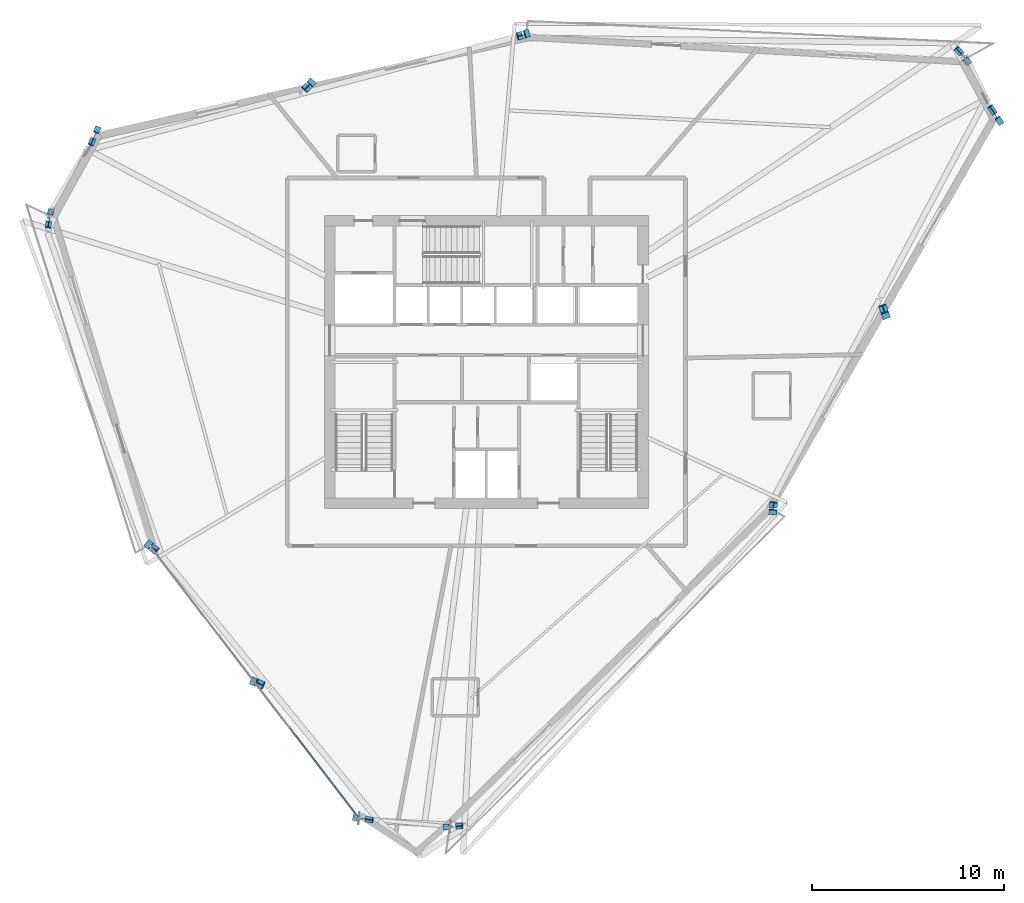
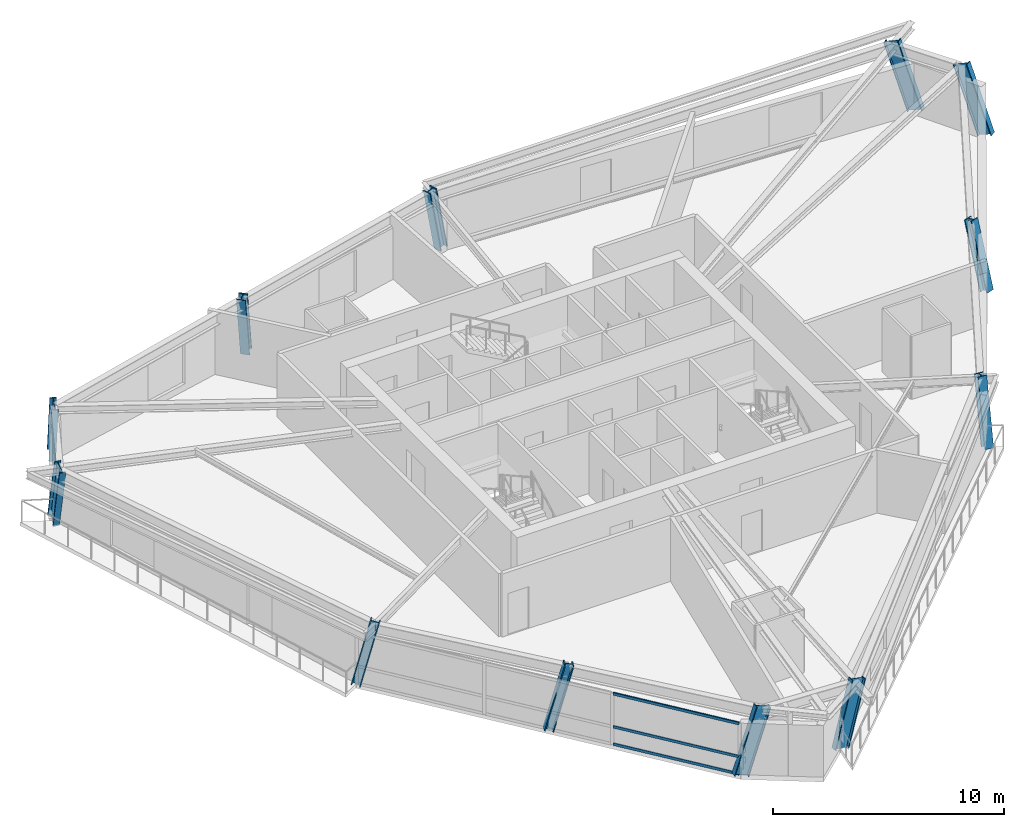
# One storey, part 1 of 15: 12 columns, 3 members, 1 element without a shape of its own.
"""IFC4 building model written with IfcOpenShell, lengths in metres."""

from ifc_helpers import new_model, si_unit, direction, frame, origin, origin_2d, place, context, subcontext, project, spatial, hollow_rectangle, i_section, extrude, source, transform, mapped, material, material_profile, profile_set, type_object, element, aggregate, save


model = new_model("IFC4")

# Units and contexts
model_context = context("Model", 3, precision=1e-05, world=origin(), true_north=direction((0.0, 1.0)))
body_context = subcontext(model_context, "Body", "Model", "MODEL_VIEW")
ifc_project = project(units=[si_unit("LENGTHUNIT", "METRE"), si_unit("AREAUNIT", "SQUARE_METRE"), si_unit("VOLUMEUNIT", "CUBIC_METRE"), si_unit("PLANEANGLEUNIT", "RADIAN"), si_unit("MASSUNIT", "GRAM", prefix="KILO")], contexts=[model_context])

# Site, building, storey
site_placement = place(None, origin())
site = spatial("IfcSite", under=ifc_project, at=site_placement, CompositionType="ELEMENT")
building_placement = place(site_placement, origin())
building = spatial("IfcBuilding", under=site, at=building_placement, Name="Olszyna Solenne Hotel", CompositionType="ELEMENT")
storey_placement = place(building_placement, frame((0.0, 0.0, 157.25)))
storey = spatial("IfcBuildingStorey", under=building, at=storey_placement, Name="L41", CompositionType="ELEMENT", Elevation=157.25)

# Columns
ifc_material_1 = material(Name="Steel S460M", Category="steel")
ifc_material_profile_1 = material_profile(ifc_material_1, i_section(OverallWidth=0.303955078125, OverallDepth=0.716064453125, WebThickness=0.02099609375, FlangeThickness=0.0400390625, at=origin_2d()), Name="HEM 700", Category="load-bearing")
ifc_profile_set_1 = profile_set([ifc_material_profile_1], Name="Steel S460M")
column_type_1 = type_object("IfcColumnType", Name="COL-K2", PredefinedType="COLUMN", material=ifc_profile_set_1)
shared_shape_1 = source(origin(), body_context, "Body", "SweptSolid", [
    extrude(i_section(OverallWidth=0.303955078125, OverallDepth=0.716064453125, WebThickness=0.02099609375, FlangeThickness=0.0400390625, at=origin_2d()), origin(), (0.0, 0.0, 1.0), 3.587890625),
])
column_1_placement = place(storey_placement, frame((64.71337890625, 39.28955078125, 0.0), z_axis=(-0.180999901235, 0.277759998813, 0.943444973919), x_axis=(-0.837814695631, -0.54595470122, 0.0)))
element("IfcColumn", 1, at=column_1_placement, inside=storey, type_object=column_type_1, Name="Perimeter framed-tube column COL-K2 C-L41-01", PredefinedType="COLUMN", context=body_context, shape_type="MappedRepresentation", body=[
    mapped(shared_shape_1, transform((0.0, 0.0, 0.0), x_axis=(1.0, 0.0, 0.0), y_axis=(0.0, 1.0, 0.0), z_axis=(0.0, 0.0, 1.0), scale=1.0)),
])
shared_shape_2 = source(origin(), body_context, "Body", "SweptSolid", [
    extrude(i_section(OverallWidth=0.303955078125, OverallDepth=0.716064453125, WebThickness=0.02099609375, FlangeThickness=0.0400390625, at=origin_2d()), origin(), (0.0, 0.0, 1.0), 3.556884765625),
])
column_2_placement = place(storey_placement, frame((63.012451171875, 42.415771484375, 0.0), z_axis=(-0.199467388464, 0.233444111551, 0.951691445649), x_axis=(-0.76026557105, -0.649612393259, 0.0)))
element("IfcColumn", 2, at=column_2_placement, inside=storey, type_object=column_type_1, Name="Perimeter framed-tube column COL-K2 C-L41-02", PredefinedType="COLUMN", context=body_context, shape_type="MappedRepresentation", body=[
    mapped(shared_shape_2, transform((0.0, 0.0, 0.0), x_axis=(1.0, 0.0, 0.0), y_axis=(0.0, 1.0, 0.0), z_axis=(0.0, 0.0, 1.0), scale=1.0)),
])
ifc_material_profile_2 = material_profile(ifc_material_1, i_section(OverallWidth=0.412109375, OverallDepth=0.43505859375, WebThickness=0.031494140625, FlangeThickness=0.050048828125, at=origin_2d()), Name="HD 400x463", Category="load-bearing")
ifc_profile_set_2 = profile_set([ifc_material_profile_2], Name="Steel S460M")
column_type_2 = type_object("IfcColumnType", Name="COL-T3", PredefinedType="COLUMN", material=ifc_profile_set_2)
shared_shape_3 = source(origin(), body_context, "Body", "SweptSolid", [
    extrude(i_section(OverallWidth=0.412109375, OverallDepth=0.43505859375, WebThickness=0.031494140625, FlangeThickness=0.050048828125, at=origin_2d()), origin(), (0.0, 0.0, 1.0), 3.453125),
])
column_3_placement = place(storey_placement, frame((40.035400390625, 43.712890625, 0.0), z_axis=(-0.189343347232, -0.056209096733, 0.980300787668), x_axis=(0.284588007849, -0.958649918264, 0.0)))
element("IfcColumn", 3, at=column_3_placement, inside=storey, type_object=column_type_2, Name="Perimeter framed-tube column COL-T3 C-L41-03", PredefinedType="COLUMN", context=body_context, shape_type="MappedRepresentation", body=[
    mapped(shared_shape_3, transform((0.0, 0.0, 0.0), x_axis=(1.0, 0.0, 0.0), y_axis=(0.0, 1.0, 0.0), z_axis=(0.0, 0.0, 1.0), scale=1.0)),
])
shared_shape_4 = source(origin(), body_context, "Body", "SweptSolid", [
    extrude(i_section(OverallWidth=0.412109375, OverallDepth=0.43505859375, WebThickness=0.031494140625, FlangeThickness=0.050048828125, at=origin_2d()), origin(), (0.0, 0.0, 1.0), 3.4677734375),
])
column_4_placement = place(storey_placement, frame((28.82080078125, 41.136474609375, 0.0), z_axis=(-0.150241736918, -0.156718887713, 0.97614886709), x_axis=(0.721866695766, -0.692032133317, 0.0)))
element("IfcColumn", 4, at=column_4_placement, inside=storey, type_object=column_type_2, Name="Perimeter framed-tube column COL-T3 C-L41-04", PredefinedType="COLUMN", context=body_context, shape_type="MappedRepresentation", body=[
    mapped(shared_shape_4, transform((0.0, 0.0, 0.0), x_axis=(1.0, 0.0, 0.0), y_axis=(0.0, 1.0, 0.0), z_axis=(0.0, 0.0, 1.0), scale=1.0)),
])
shared_shape_5 = source(origin(), body_context, "Body", "SweptSolid", [
    extrude(i_section(OverallWidth=0.303955078125, OverallDepth=0.716064453125, WebThickness=0.02099609375, FlangeThickness=0.0400390625, at=origin_2d()), origin(), (0.0, 0.0, 1.0), 3.522216796875),
])
column_5_placement = place(storey_placement, frame((17.606201171875, 38.56005859375, 0.0), z_axis=(-0.110211523518, -0.253417188668, 0.961058348162), x_axis=(0.917030174271, -0.398817827432, 0.0)))
element("IfcColumn", 5, at=column_5_placement, inside=storey, type_object=column_type_1, Name="Perimeter framed-tube column COL-K2 C-L41-05", PredefinedType="COLUMN", context=body_context, shape_type="MappedRepresentation", body=[
    mapped(shared_shape_5, transform((0.0, 0.0, 0.0), x_axis=(1.0, 0.0, 0.0), y_axis=(0.0, 1.0, 0.0), z_axis=(0.0, 0.0, 1.0), scale=1.0)),
])
shared_shape_6 = source(origin(), body_context, "Body", "SweptSolid", [
    extrude(i_section(OverallWidth=0.303955078125, OverallDepth=0.716064453125, WebThickness=0.02099609375, FlangeThickness=0.0400390625, at=origin_2d()), origin(), (0.0, 0.0, 1.0), 3.490478515625),
])
column_6_placement = place(storey_placement, frame((15.215087890625, 34.245849609375, 0.0), z_axis=(-0.04266501915, -0.240322960326, 0.969754902479), x_axis=(0.984604180574, -0.17479876314, 0.0)))
element("IfcColumn", 6, at=column_6_placement, inside=storey, type_object=column_type_1, Name="Perimeter framed-tube column COL-K2 C-L41-06", PredefinedType="COLUMN", context=body_context, shape_type="MappedRepresentation", body=[
    mapped(shared_shape_6, transform((0.0, 0.0, 0.0), x_axis=(1.0, 0.0, 0.0), y_axis=(0.0, 1.0, 0.0), z_axis=(0.0, 0.0, 1.0), scale=1.0)),
])
shared_shape_7 = source(origin(), body_context, "Body", "SweptSolid", [
    extrude(i_section(OverallWidth=0.412109375, OverallDepth=0.43505859375, WebThickness=0.031494140625, FlangeThickness=0.050048828125, at=origin_2d()), origin(), (0.0, 0.0, 1.0), 3.482177734375),
])
column_7_placement = place(storey_placement, frame((20.408203125, 17.02783203125, 0.0), z_axis=(0.17948419907, -0.151089237889, 0.972089226603), x_axis=(0.643997697905, 0.765027427674, 0.0)))
element("IfcColumn", 7, at=column_7_placement, inside=storey, type_object=column_type_2, Name="Perimeter framed-tube column COL-T3 C-L41-07", PredefinedType="COLUMN", context=body_context, shape_type="MappedRepresentation", body=[
    mapped(shared_shape_7, transform((0.0, 0.0, 0.0), x_axis=(1.0, 0.0, 0.0), y_axis=(0.0, 1.0, 0.0), z_axis=(0.0, 0.0, 1.0), scale=1.0)),
])
shared_shape_8 = source(origin(), body_context, "Body", "SweptSolid", [
    extrude(i_section(OverallWidth=0.412109375, OverallDepth=0.43505859375, WebThickness=0.031494140625, FlangeThickness=0.050048828125, at=origin_2d()), origin(), (0.0, 0.0, 1.0), 3.499267578125),
])
column_8_placement = place(storey_placement, frame((25.884521484375, 9.895751953125, 0.0), z_axis=(0.234770924089, -0.095582813076, 0.967339929418), x_axis=(0.377078304151, 0.926181382094, 0.0)))
element("IfcColumn", 8, at=column_8_placement, inside=storey, type_object=column_type_2, Name="Perimeter framed-tube column COL-T3 C-L41-08", PredefinedType="COLUMN", context=body_context, shape_type="MappedRepresentation", body=[
    mapped(shared_shape_8, transform((0.0, 0.0, 0.0), x_axis=(1.0, 0.0, 0.0), y_axis=(0.0, 1.0, 0.0), z_axis=(0.0, 0.0, 1.0), scale=1.0)),
])
shared_shape_9 = source(origin(), body_context, "Body", "SweptSolid", [
    extrude(i_section(OverallWidth=0.303955078125, OverallDepth=0.716064453125, WebThickness=0.02099609375, FlangeThickness=0.0400390625, at=origin_2d()), origin(), (0.0, 0.0, 1.0), 3.53759765625),
])
column_9_placement = place(storey_placement, frame((31.36083984375, 2.763916015625, 0.0), z_axis=(0.287715041791, -0.040372583221, 0.956864728816), x_axis=(0.138960020448, 0.990297991878, 0.0)))
element("IfcColumn", 9, at=column_9_placement, inside=storey, type_object=column_type_1, Name="Perimeter framed-tube column COL-K2 C-L41-09", PredefinedType="COLUMN", context=body_context, shape_type="MappedRepresentation", body=[
    mapped(shared_shape_9, transform((0.0, 0.0, 0.0), x_axis=(1.0, 0.0, 0.0), y_axis=(0.0, 1.0, 0.0), z_axis=(0.0, 0.0, 1.0), scale=1.0)),
])
shared_shape_10 = source(origin(), body_context, "Body", "SweptSolid", [
    extrude(i_section(OverallWidth=0.303955078125, OverallDepth=0.716064453125, WebThickness=0.02099609375, FlangeThickness=0.0400390625, at=origin_2d()), origin(), (0.0, 0.0, 1.0), 3.497314453125),
])
column_10_placement = place(storey_placement, frame((36.092041015625, 2.324951171875, 0.0), z_axis=(0.251028780295, 0.013542709504, 0.967884882867), x_axis=(-0.05387049459, 0.998547930654, 0.0)))
element("IfcColumn", 10, at=column_10_placement, inside=storey, type_object=column_type_1, Name="Perimeter framed-tube column COL-K2 C-L41-10", PredefinedType="COLUMN", context=body_context, shape_type="MappedRepresentation", body=[
    mapped(shared_shape_10, transform((0.0, 0.0, 0.0), x_axis=(1.0, 0.0, 0.0), y_axis=(0.0, 1.0, 0.0), z_axis=(0.0, 0.0, 1.0), scale=1.0)),
])
shared_shape_11 = source(origin(), body_context, "Body", "SweptSolid", [
    extrude(i_section(OverallWidth=0.412109375, OverallDepth=0.43505859375, WebThickness=0.031494140625, FlangeThickness=0.050048828125, at=origin_2d()), origin(), (0.0, 0.0, 1.0), 3.459228515625),
])
column_11_placement = place(storey_placement, frame((52.9619140625, 18.82568359375, 0.0), z_axis=(0.018843973792, 0.205166411286, 0.978545680248), x_axis=(-0.995808540484, 0.091462291128, 0.0)))
element("IfcColumn", 11, at=column_11_placement, inside=storey, type_object=column_type_2, Name="Perimeter framed-tube column COL-T3 C-L41-11", PredefinedType="COLUMN", context=body_context, shape_type="MappedRepresentation", body=[
    mapped(shared_shape_11, transform((0.0, 0.0, 0.0), x_axis=(1.0, 0.0, 0.0), y_axis=(0.0, 1.0, 0.0), z_axis=(0.0, 0.0, 1.0), scale=1.0)),
])
shared_shape_12 = source(origin(), body_context, "Body", "SweptSolid", [
    extrude(i_section(OverallWidth=0.412109375, OverallDepth=0.43505859375, WebThickness=0.031494140625, FlangeThickness=0.050048828125, at=origin_2d()), origin(), (0.0, 0.0, 1.0), 3.503173828125),
])
column_12_placement = place(storey_placement, frame((58.837646484375, 29.0576171875, 0.0), z_axis=(-0.083352807672, 0.243576975596, 0.966293209338), x_axis=(-0.946135617904, -0.32377058627, 0.0)))
element("IfcColumn", 12, at=column_12_placement, inside=storey, type_object=column_type_2, Name="Perimeter framed-tube column COL-T3 C-L41-12", PredefinedType="COLUMN", context=body_context, shape_type="MappedRepresentation", body=[
    mapped(shared_shape_12, transform((0.0, 0.0, 0.0), x_axis=(1.0, 0.0, 0.0), y_axis=(0.0, 1.0, 0.0), z_axis=(0.0, 0.0, 1.0), scale=1.0)),
])

# Curtain wall, members
ifc_material_2 = material(Name="Anodised bronze aluminium", Category="aluminium")
curtain_wall_type = type_object("IfcCurtainWallType", Name="CW-SYS-4", PredefinedType="NOTDEFINED", material=ifc_material_2)
curtain_wall_placement = place(storey_placement, origin())
curtain_wall = element("IfcCurtainWall", 13, at=curtain_wall_placement, inside=storey, type_object=curtain_wall_type, Name="Unitised curtain wall CW-SYS-4 CW-L41-01", PredefinedType="NOTDEFINED")
ifc_material_profile_3 = material_profile(ifc_material_2, hollow_rectangle(XDim=0.06494140625, YDim=0.139892578125, WallThickness=0.00390625, at=origin_2d()), Name="TRAN 140x65x4", Category="load-bearing")
ifc_profile_set_3 = profile_set([ifc_material_profile_3], Name="Anodised bronze aluminium")
member_type = type_object("IfcMemberType", Name="CW-T2", PredefinedType="USERDEFINED", material=ifc_profile_set_3)
shared_shape_13 = source(origin(), body_context, "Body", "SweptSolid", [
    extrude(hollow_rectangle(XDim=0.06494140625, YDim=0.139892578125, WallThickness=0.00390625, at=origin_2d()), origin(), (0.0, 0.0, 1.0), 5.897216796875),
])
member_1_placement = place(storey_placement, frame((27.729736328125, 7.49267578125, 0.032470703125), z_axis=(0.609036288709, -0.793142357358, 0.0), x_axis=(0.793142357358, 0.609036288709, 0.0)))
member_1 = element("IfcMember", 14, at=member_1_placement, type_object=member_type, Name="Curtain-wall transom CW-T2 CT-L41-01-07", ObjectType="TRANSOM", PredefinedType="USERDEFINED", context=body_context, shape_type="MappedRepresentation", body=[
    mapped(shared_shape_13, transform((0.0, 0.0, 0.0), x_axis=(1.0, 0.0, 0.0), y_axis=(0.0, 1.0, 0.0), z_axis=(0.0, 0.0, 1.0), scale=1.0)),
])
member_2_placement = place(storey_placement, frame((27.729736328125, 7.49267578125, 0.949951171875), z_axis=(0.609036288709, -0.793142357358, 0.0), x_axis=(0.793142357358, 0.609036288709, 0.0)))
member_2 = element("IfcMember", 15, at=member_2_placement, type_object=member_type, Name="Curtain-wall transom CW-T2 CT-L41-01-08", ObjectType="TRANSOM", PredefinedType="USERDEFINED", context=body_context, shape_type="MappedRepresentation", body=[
    mapped(shared_shape_13, transform((0.0, 0.0, 0.0), x_axis=(1.0, 0.0, 0.0), y_axis=(0.0, 1.0, 0.0), z_axis=(0.0, 0.0, 1.0), scale=1.0)),
])
member_3_placement = place(storey_placement, frame((27.729736328125, 7.49267578125, 2.689453125), z_axis=(0.609036288709, -0.793142357358, 0.0), x_axis=(0.793142357358, 0.609036288709, 0.0)))
member_3 = element("IfcMember", 16, at=member_3_placement, type_object=member_type, Name="Curtain-wall transom CW-T2 CT-L41-01-09", ObjectType="TRANSOM", PredefinedType="USERDEFINED", context=body_context, shape_type="MappedRepresentation", body=[
    mapped(shared_shape_13, transform((0.0, 0.0, 0.0), x_axis=(1.0, 0.0, 0.0), y_axis=(0.0, 1.0, 0.0), z_axis=(0.0, 0.0, 1.0), scale=1.0)),
])
aggregate(curtain_wall, [member_1, member_2, member_3])

save(model, "model.ifc")
